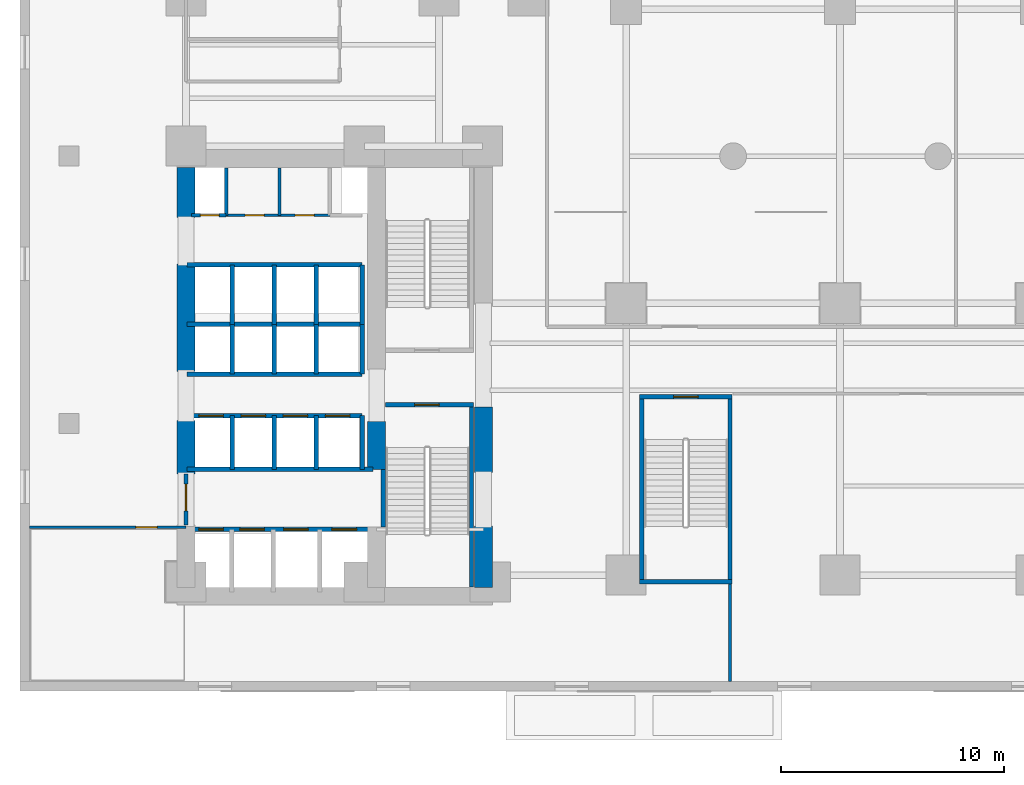
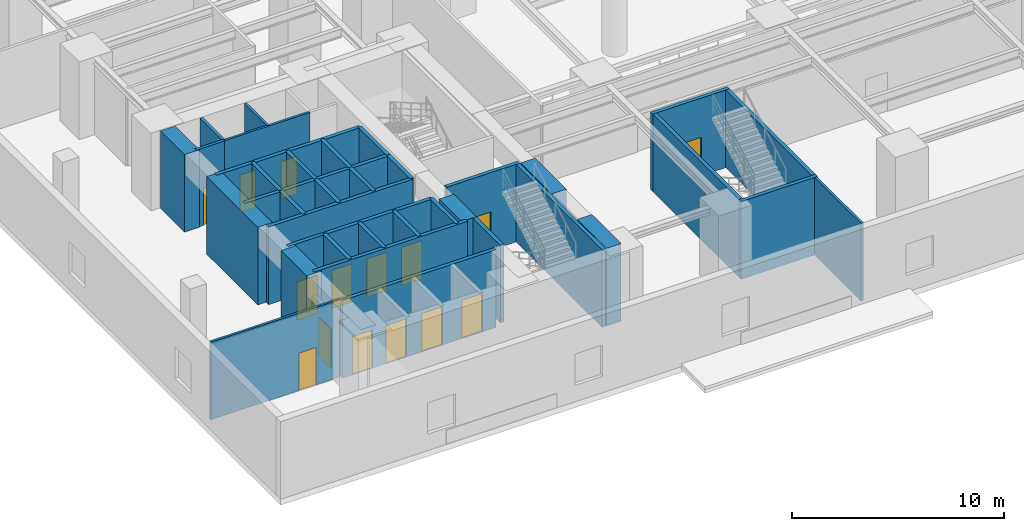
# One storey, part 12 of 17: 38 walls, 15 doors, 15 openings.
"""IFC4 building model written with IfcOpenShell, lengths in metres."""

import ifcopenshell
import ifcopenshell.guid

model = None  # the IFC model being written
_history = None  # IfcOwnerHistory: only IFC2X3 demands one
_inside = {}  # id of a spatial element -> (the spatial element, [elements in it])
_under = {}  # id of a project, library or spatial element -> (it, [spatial elements below it])
_declared = {}  # id of a project -> (the project, [libraries it declares])
_typed = {}  # id of a type object -> (the type object, [elements of that type])
_made_of = {}  # id of a material, layer set ... -> (it, [elements and type objects made of it])


def new_model(schema):
    """Start an empty IFC model of exactly this schema.

    Asked for "IFC4X3", IfcOpenShell would pick the latest addendum, in which some entities
    have other attributes; the version numbers below select the first issue.
    IFC2X3 requires an IfcOwnerHistory on every rooted entity: one is made here for all.
    """
    global model, _history
    if schema == "IFC4X3":
        model = ifcopenshell.file(schema_version=(4, 3, 0, 0))
    else:
        model = ifcopenshell.file(schema=schema)
    _inside.clear()
    _under.clear()
    _declared.clear()
    _typed.clear()
    _made_of.clear()
    _history = None
    if model.schema == "IFC2X3":
        org = make("IfcOrganization", Name="unknown")
        user = make(
            "IfcPersonAndOrganization",
            ThePerson=make("IfcPerson", FamilyName="unknown"),
            TheOrganization=org,
        )
        app = make(
            "IfcApplication",
            ApplicationDeveloper=org,
            Version="unknown",
            ApplicationFullName="unknown",
            ApplicationIdentifier="unknown",
        )
        _history = make(
            "IfcOwnerHistory",
            OwningUser=user,
            OwningApplication=app,
            ChangeAction="ADDED",
            CreationDate=0,
        )
    return model


def make(cls, **values):
    """One entity of the class cls with the attributes given. An attribute that is None is left unset."""
    return model.create_entity(
        cls, **{name: value for name, value in values.items() if value is not None}
    )


def rooted(cls, **values):
    """An entity with a GlobalId (a new one), such as an element, a storey or a relation."""
    return make(cls, GlobalId=ifcopenshell.guid.new(), OwnerHistory=_history, **values)


def si_unit(unit_type, name, prefix=None):
    """IfcSIUnit, for example si_unit("LENGTHUNIT", "METRE", prefix="MILLI")."""
    return make("IfcSIUnit", UnitType=unit_type, Prefix=prefix, Name=name)


def assignment(units):
    """IfcUnitAssignment: the units of a project."""
    return None if units is None else make("IfcUnitAssignment", Units=units)


def point(xyz):
    """IfcCartesianPoint."""
    return None if xyz is None else make("IfcCartesianPoint", Coordinates=xyz)


def direction(xyz):
    """IfcDirection."""
    return None if xyz is None else make("IfcDirection", DirectionRatios=xyz)


def frame(location, z_axis=None, x_axis=None):
    """IfcAxis2Placement3D, a coordinate frame: its origin and axes. An axis left out is left unset."""
    return make(
        "IfcAxis2Placement3D",
        Location=point(location),
        Axis=direction(z_axis),
        RefDirection=direction(x_axis),
    )


def frame_2d(location, x_axis=None):
    """IfcAxis2Placement2D, a coordinate frame in the plane: its origin and x axis."""
    return make(
        "IfcAxis2Placement2D", Location=point(location), RefDirection=direction(x_axis)
    )


def origin():
    """The frame at (0, 0, 0) with its axes left unset."""
    return frame((0.0, 0.0, 0.0))


def place(relative_to, where):
    """IfcLocalPlacement: puts the frame where relative to a parent placement (None: the world)."""
    return make(
        "IfcLocalPlacement", PlacementRelTo=relative_to, RelativePlacement=where
    )


def context(
    kind, dimensions, precision=None, world=None, true_north=None, identifier=None
):
    """IfcGeometricRepresentationContext, for example the 3D "Model" context."""
    return make(
        "IfcGeometricRepresentationContext",
        ContextIdentifier=identifier,
        ContextType=kind,
        CoordinateSpaceDimension=dimensions,
        Precision=precision,
        WorldCoordinateSystem=world,
        TrueNorth=true_north,
    )


def subcontext(parent, identifier, kind, view, scale=None):
    """IfcGeometricRepresentationSubContext, for example "Body" below "Model"."""
    return make(
        "IfcGeometricRepresentationSubContext",
        ContextIdentifier=identifier,
        ContextType=kind,
        ParentContext=parent,
        TargetScale=scale,
        TargetView=view,
    )


def project(units=None, contexts=None):
    """IfcProject with its units and contexts."""
    return rooted(
        "IfcProject",
        Name="project",
        RepresentationContexts=contexts,
        UnitsInContext=assignment(units),
    )


def spatial(cls, under=None, at=None, **own):
    """A site, building, storey or space (cls), placed at a placement, below another one or the project."""
    s = rooted(cls, ObjectPlacement=at, **own)
    if under is not None:
        _under.setdefault(under.id(), (under, []))[1].append(s)
    return s


def profile(cls, at=None, kind="AREA", **sizes):
    """A parametric profile (cls). Its sizes go by their IFC names, for example OverallWidth=200.0."""
    return make(cls, ProfileType=kind, Position=at, **sizes)


def rectangle(**sizes):
    """IfcRectangleProfileDef."""
    return profile("IfcRectangleProfileDef", **sizes)


def extrude(swept, where, along, depth):
    """IfcExtrudedAreaSolid: the profile swept, set in the frame where, extruded along a direction by depth."""
    return make(
        "IfcExtrudedAreaSolid",
        SweptArea=swept,
        Position=where,
        ExtrudedDirection=direction(along),
        Depth=depth,
    )


def shape(context_of_items, identifier, shape_type, items):
    """IfcShapeRepresentation: the items that make up one representation, for example the "Body"."""
    return make(
        "IfcShapeRepresentation",
        ContextOfItems=context_of_items,
        RepresentationIdentifier=identifier,
        RepresentationType=shape_type,
        Items=items,
    )


def material(Name=None, Category=None):
    """IfcMaterial."""
    return make("IfcMaterial", Name=Name, Category=Category)


def layer(
    of_material, thickness, ventilated=None, Name=None, Category=None, Priority=None
):
    """IfcMaterialLayer: one layer of a wall or slab, of a material (None: an air gap)."""
    return make(
        "IfcMaterialLayer",
        Material=of_material,
        LayerThickness=thickness,
        IsVentilated=ventilated,
        Name=Name,
        Category=Category,
        Priority=Priority,
    )


def layer_set(layers, Name=None):
    """IfcMaterialLayerSet."""
    return make("IfcMaterialLayerSet", MaterialLayers=layers, LayerSetName=Name)


def made_of(thing, what):
    """Note that an element or type object is made of a material, layer set ...; save() writes the relation."""
    if what is not None:
        _made_of.setdefault(what.id(), (what, []))[1].append(thing)
    return thing


def type_object(cls, material=None, **own):
    """A type object (cls), such as IfcWallType, which elements share."""
    return made_of(rooted(cls, **own), material)


def element(
    cls,
    number,
    at=None,
    inside=None,
    cuts=None,
    type_object=None,
    material=None,
    context=None,
    identifier="Body",
    shape_type=None,
    held_by="IfcProductDefinitionShape",
    body=None,
    shapes=None,
    **own,
):
    """One element of the class cls, such as IfcWall. Its Tag is "e" and its number.

    at: its placement. inside: the storey or other place that contains it. cuts: it is an
    opening in that element (IfcRelVoidsElement). A single representation is given by context,
    identifier, shape_type and body (its items); several are given by shapes. held_by: the class
    of the entity that holds the representations. save() writes the other relations.
    """
    e = rooted(cls, Tag="e%d" % number, ObjectPlacement=at, **own)
    if body is not None:
        shapes = [shape(context, identifier, shape_type, body)]
    if shapes is not None:
        e.Representation = make(held_by, Representations=shapes)
    if inside is not None:
        _inside.setdefault(inside.id(), (inside, []))[1].append(e)
    if cuts is not None:
        rooted(
            "IfcRelVoidsElement", RelatingBuildingElement=cuts, RelatedOpeningElement=e
        )
    if type_object is not None:
        _typed.setdefault(type_object.id(), (type_object, []))[1].append(e)
    return made_of(e, material)


def fill(opening, filler):
    """IfcRelFillsElement: the door or window that sits in an opening."""
    return rooted(
        "IfcRelFillsElement",
        RelatingOpeningElement=opening,
        RelatedBuildingElement=filler,
    )


def aggregate(whole, parts):
    """IfcRelAggregates: a whole, such as a stair, and the parts it consists of."""
    return rooted("IfcRelAggregates", RelatingObject=whole, RelatedObjects=parts)


def save(model, path):
    """Write the relations noted so far, then the file.

    IfcRelAggregates (storeys below a building ...), IfcRelContainedInSpatialStructure (elements
    in a storey), IfcRelDefinesByType, IfcRelAssociatesMaterial and IfcRelDeclares: one each for
    every whole, place, type object, material and project.
    """
    for whole, parts in _under.values():
        aggregate(whole, parts)
    for where, things in _inside.values():
        rooted(
            "IfcRelContainedInSpatialStructure",
            RelatedElements=things,
            RelatingStructure=where,
        )
    for kind, things in _typed.values():
        rooted("IfcRelDefinesByType", RelatedObjects=things, RelatingType=kind)
    for what, things in _made_of.values():
        rooted("IfcRelAssociatesMaterial", RelatedObjects=things, RelatingMaterial=what)
    for by, libraries in _declared.values():
        rooted("IfcRelDeclares", RelatingContext=by, RelatedDefinitions=libraries)
    model.write(path)


model = new_model("IFC4")

# Units and contexts
model_context = context("Model", 3, precision=1e-05, world=origin(), true_north=direction((0.0, 1.0)))
body_context = subcontext(model_context, "Body", "Model", "MODEL_VIEW")
ifc_project = project(units=[si_unit("LENGTHUNIT", "METRE"), si_unit("AREAUNIT", "SQUARE_METRE"), si_unit("VOLUMEUNIT", "CUBIC_METRE"), si_unit("PLANEANGLEUNIT", "RADIAN"), si_unit("MASSUNIT", "GRAM", prefix="KILO")], contexts=[model_context])

# Site, building, storey
site_placement = place(None, origin())
site = spatial("IfcSite", under=ifc_project, at=site_placement, CompositionType="ELEMENT")
building_placement = place(site_placement, origin())
building = spatial("IfcBuilding", under=site, at=building_placement, Name="Kolvaren Waterfront Exchange", CompositionType="ELEMENT")
storey_placement = place(building_placement, frame((0.0, 0.0, 5.60009765625)))
storey = spatial("IfcBuildingStorey", under=building, at=storey_placement, Name="L02", CompositionType="ELEMENT", Elevation=5.60009765625)

# Wall, opening, door
ifc_material_1 = material(Name="Precast concrete C40/50", Category="concrete")
ifc_layer_1 = layer(ifc_material_1, 0.199951171875, Name="Precast concrete C40/50")
ifc_layer_set_1 = layer_set([ifc_layer_1], Name="Precast concrete C40/50")
wall_type_1 = type_object("IfcWallType", Name="ARC-FIRE-200", PredefinedType="PARTITIONING", material=ifc_layer_set_1)
wall_1_placement = place(storey_placement, frame((16.39990234375, 12.85009765625, 0.0), z_axis=(0.0, 0.0, 1.0), x_axis=(1.0, 0.0, 0.0)))
wall_1 = element("IfcWall", 1, at=wall_1_placement, inside=storey, type_object=wall_type_1, Name="L02 interior wall PW-L02-ST1-THROAT-S", PredefinedType="PARTITIONING", context=body_context, shape_type="SweptSolid", body=[
    extrude(rectangle(XDim=3.960205078125, YDim=0.199951171875, at=frame_2d((1.97998046875, 0.0))), origin(), (0.0, 0.0, 1.0), 4.4599609375),
])
opening_1_placement = place(wall_1_placement, frame((1.3037109375, 0.0, 0.0)))
opening_1 = element("IfcOpeningElement", 2, at=opening_1_placement, cuts=wall_1, Name="Opening FD2", PredefinedType="OPENING", context=body_context, shape_type="SweptSolid", body=[
    extrude(rectangle(XDim=1.10009765625, YDim=2.199951171875, at=frame_2d((0.550048828125, 1.10009765625))), frame((0.0, 0.10986328125, 0.0), z_axis=(0.0, -1.0, 0.0), x_axis=(1.0, 0.0, 0.0)), (0.0, 0.0, 1.0), 0.219970703125),
])
ifc_material_2 = material(Name="Pressed steel smoke-seal fire door", Category="steel")
door_type_1 = type_object("IfcDoorType", Name="ARC-FD-1100", OperationType="NOTDEFINED", PredefinedType="DOOR", material=ifc_material_2)
door_1_placement = place(opening_1_placement, frame((1.10009765625, 0.0, 0.0), z_axis=(0.0, 0.0, 1.0), x_axis=(-1.0, 0.0, 0.0)))
door_1 = element("IfcDoor", 3, at=door_1_placement, inside=storey, type_object=door_type_1, Name="L02 door DR-L02-ST1-IN (FD2)", OperationType="SINGLE_SWING_LEFT", OverallHeight=2.199951171875, OverallWidth=1.10009765625, PredefinedType="DOOR", context=body_context, shape_type="SweptSolid", body=[
    extrude(rectangle(XDim=1.10009765625, YDim=2.199951171875, at=frame_2d((0.550048828125, 1.10009765625))), frame((0.0, 0.02490234375, 0.0), z_axis=(0.0, -1.0, 0.0), x_axis=(1.0, 0.0, 0.0)), (0.0, 0.0, 1.0), 0.050048828125),
])
fill(opening_1, door_1)

# Wall
wall_2_placement = place(storey_placement, frame((7.5, 9.949951171875, 0.0), z_axis=(0.0, 0.0, 1.0), x_axis=(1.0, 0.0, 0.0)))
element("IfcWall", 4, at=wall_2_placement, inside=storey, type_object=wall_type_1, Name="L02 interior wall PW-L02-FF-N", PredefinedType="PARTITIONING", context=body_context, shape_type="SweptSolid", body=[
    extrude(rectangle(XDim=8.35009765625, YDim=0.199951171875, at=frame_2d((4.175048828125, 0.0))), origin(), (0.0, 0.0, 1.0), 4.4599609375),
])

# Wall, opening, door
wall_3_placement = place(storey_placement, frame((7.449951171875, 7.449951171875, 0.0), z_axis=(0.0, 0.0, 1.0), x_axis=(0.0, 1.0, 0.0)))
wall_3 = element("IfcWall", 5, at=wall_3_placement, inside=storey, type_object=wall_type_1, Name="L02 interior wall PW-L02-FF-W-DOOR", PredefinedType="PARTITIONING", context=body_context, shape_type="SweptSolid", body=[
    extrude(rectangle(XDim=2.300048828125, YDim=0.199951171875, at=frame_2d((1.14990234375, 0.0))), origin(), (0.0, 0.0, 1.0), 3.239990234375),
])
opening_2_placement = place(wall_3_placement, frame((0.63330078125, 0.0, 0.0)))
opening_2 = element("IfcOpeningElement", 6, at=opening_2_placement, cuts=wall_3, Name="Opening FD3", PredefinedType="OPENING", context=body_context, shape_type="SweptSolid", body=[
    extrude(rectangle(XDim=1.199951171875, YDim=2.25, at=frame_2d((0.60009765625, 1.125))), frame((0.0, 0.10986328125, 0.0), z_axis=(0.0, -1.0, 0.0), x_axis=(1.0, 0.0, 0.0)), (0.0, 0.0, 1.0), 0.219970703125),
])
ifc_material_3 = material(Name="Pressed steel fire door", Category="steel")
door_type_2 = type_object("IfcDoorType", Name="ARC-FD-1200", OperationType="NOTDEFINED", PredefinedType="DOOR", material=ifc_material_3)
door_2_placement = place(opening_2_placement, frame((1.199951171875, 0.0, 0.0), z_axis=(0.0, 0.0, 1.0), x_axis=(-1.0, 0.0, 0.0)))
door_2 = element("IfcDoor", 7, at=door_2_placement, inside=storey, type_object=door_type_2, Name="L02 door DR-L02-FF-OUT (FD3)", OperationType="SINGLE_SWING_RIGHT", OverallHeight=2.25, OverallWidth=1.199951171875, PredefinedType="DOOR", context=body_context, shape_type="SweptSolid", body=[
    extrude(rectangle(XDim=1.199951171875, YDim=2.25, at=frame_2d((0.60009765625, 1.125))), frame((0.0, 0.02490234375, 0.0), z_axis=(0.0, -1.0, 0.0), x_axis=(1.0, 0.0, 0.0)), (0.0, 0.0, 1.0), 0.050048828125),
])
fill(opening_2, door_2)

# Wall, openings, doors
ifc_material_4 = material(Name="Acoustic gypsum steel stud", Category="steel")
ifc_layer_2 = layer(ifc_material_4, 0.125, Name="Acoustic gypsum steel stud")
ifc_layer_set_2 = layer_set([ifc_layer_2], Name="Acoustic gypsum steel stud")
wall_type_2 = type_object("IfcWallType", Name="ARC-PART-125", PredefinedType="PARTITIONING", material=ifc_layer_set_2)
wall_4_placement = place(storey_placement, frame((9.25, 21.35009765625, 0.0), z_axis=(0.0, 0.0, 1.0), x_axis=(1.0, 0.0, 0.0)))
wall_4 = element("IfcWall", 8, at=wall_4_placement, inside=storey, type_object=wall_type_2, Name="L02 interior wall PW-L02-SVC-EX-S", PredefinedType="PARTITIONING", context=body_context, shape_type="SweptSolid", body=[
    extrude(rectangle(XDim=4.64990234375, YDim=0.125, at=frame_2d((2.324951171875, 0.0))), origin(), (0.0, 0.0, 1.0), 4.4599609375),
])
opening_3_placement = place(wall_4_placement, frame((0.85009765625, 0.0, 0.0)))
opening_3 = element("IfcOpeningElement", 9, at=opening_3_placement, cuts=wall_4, Name="Opening D01", PredefinedType="OPENING", context=body_context, shape_type="SweptSolid", body=[
    extrude(rectangle(XDim=0.85009765625, YDim=2.14990234375, at=frame_2d((0.425048828125, 1.074951171875))), frame((0.0, 0.072509765625, 0.0), z_axis=(0.0, -1.0, 0.0), x_axis=(1.0, 0.0, 0.0)), (0.0, 0.0, 1.0), 0.14501953125),
])
opening_4_placement = place(wall_4_placement, frame((3.10009765625, 0.0, 0.0)))
opening_4 = element("IfcOpeningElement", 10, at=opening_4_placement, cuts=wall_4, Name="Opening D01", PredefinedType="OPENING", context=body_context, shape_type="SweptSolid", body=[
    extrude(rectangle(XDim=0.85009765625, YDim=2.14990234375, at=frame_2d((0.425048828125, 1.074951171875))), frame((0.0, 0.072509765625, 0.0), z_axis=(0.0, -1.0, 0.0), x_axis=(1.0, 0.0, 0.0)), (0.0, 0.0, 1.0), 0.14501953125),
])
ifc_material_5 = material(Name="Oak veneer timber leaf", Category="wood")
door_type_3 = type_object("IfcDoorType", Name="ARC-DR-900", OperationType="NOTDEFINED", PredefinedType="DOOR", material=ifc_material_5)
door_3_placement = place(opening_3_placement, origin())
door_3 = element("IfcDoor", 11, at=door_3_placement, inside=storey, type_object=door_type_3, Name="L02 door DR-L02-SVC-DR-1 (D01)", OperationType="SINGLE_SWING_RIGHT", OverallHeight=2.14990234375, OverallWidth=0.85009765625, PredefinedType="DOOR", context=body_context, shape_type="SweptSolid", body=[
    extrude(rectangle(XDim=0.85009765625, YDim=2.14990234375, at=frame_2d((0.425048828125, 1.074951171875))), frame((0.0, 0.02490234375, 0.0), z_axis=(0.0, -1.0, 0.0), x_axis=(1.0, 0.0, 0.0)), (0.0, 0.0, 1.0), 0.050048828125),
])
fill(opening_3, door_3)
door_4_placement = place(opening_4_placement, origin())
door_4 = element("IfcDoor", 12, at=door_4_placement, inside=storey, type_object=door_type_3, Name="L02 door DR-L02-SVC-DR-2 (D01)", OperationType="SINGLE_SWING_LEFT", OverallHeight=2.14990234375, OverallWidth=0.85009765625, PredefinedType="DOOR", context=body_context, shape_type="SweptSolid", body=[
    extrude(rectangle(XDim=0.85009765625, YDim=2.14990234375, at=frame_2d((0.425048828125, 1.074951171875))), frame((0.0, 0.02490234375, 0.0), z_axis=(0.0, -1.0, 0.0), x_axis=(1.0, 0.0, 0.0)), (0.0, 0.0, 1.0), 0.050048828125),
])
fill(opening_4, door_4)

# Wall
wall_5_placement = place(storey_placement, frame((11.64990234375, 21.35009765625, 0.0), z_axis=(0.0, 0.0, 1.0), x_axis=(0.0, 1.0, 0.0)))
element("IfcWall", 13, at=wall_5_placement, inside=storey, type_object=wall_type_2, Name="L02 interior wall PW-L02-SVC-EX-M1", PredefinedType="PARTITIONING", context=body_context, shape_type="SweptSolid", body=[
    extrude(rectangle(XDim=2.1298828125, YDim=0.125, at=frame_2d((1.06494140625, 0.0))), origin(), (0.0, 0.0, 1.0), 4.4599609375),
])

# Wall, opening, door
wall_6_placement = place(storey_placement, frame((0.419921875, 7.35009765625, 0.0), z_axis=(0.0, 0.0, 1.0), x_axis=(1.0, 0.0, 0.0)))
wall_6 = element("IfcWall", 14, at=wall_6_placement, inside=storey, type_object=wall_type_2, Name="L02 interior wall PW-L02-POD-WS-N", PredefinedType="PARTITIONING", context=body_context, shape_type="SweptSolid", body=[
    extrude(rectangle(XDim=7.030029296875, YDim=0.125, at=frame_2d((3.51513671875, 0.0))), origin(), (0.0, 0.0, 1.0), 4.4599609375),
])
opening_5_placement = place(wall_6_placement, frame((4.780029296875, 0.0, 0.0)))
opening_5 = element("IfcOpeningElement", 15, at=opening_5_placement, cuts=wall_6, Name="Opening D02", PredefinedType="OPENING", context=body_context, shape_type="SweptSolid", body=[
    extrude(rectangle(XDim=0.949951171875, YDim=2.14990234375, at=frame_2d((0.47509765625, 1.074951171875))), frame((0.0, 0.072509765625, 0.0), z_axis=(0.0, -1.0, 0.0), x_axis=(1.0, 0.0, 0.0)), (0.0, 0.0, 1.0), 0.14501953125),
])
ifc_material_6 = material(Name="Oak veneer acoustic timber", Category="wood")
door_type_4 = type_object("IfcDoorType", Name="ARC-DR-950", OperationType="NOTDEFINED", PredefinedType="DOOR", material=ifc_material_6)
door_5_placement = place(opening_5_placement, origin())
door_5 = element("IfcDoor", 16, at=door_5_placement, inside=storey, type_object=door_type_4, Name="L02 door DR-L02-POD-WS-D (D02)", OperationType="SINGLE_SWING_LEFT", OverallHeight=2.14990234375, OverallWidth=0.949951171875, PredefinedType="DOOR", context=body_context, shape_type="SweptSolid", body=[
    extrude(rectangle(XDim=0.949951171875, YDim=2.14990234375, at=frame_2d((0.47509765625, 1.074951171875))), frame((0.0, 0.02490234375, 0.0), z_axis=(0.0, -1.0, 0.0), x_axis=(1.0, 0.0, 0.0)), (0.0, 0.0, 1.0), 0.050048828125),
])
fill(opening_5, door_5)

# Walls
wall_7_placement = place(storey_placement, frame((31.860107421875, 0.419921875, 0.0), z_axis=(0.0, 0.0, 1.0), x_axis=(0.0, 1.0, 0.0)))
element("IfcWall", 17, at=wall_7_placement, inside=storey, type_object=wall_type_2, Name="L02 interior wall PW-L02-POD-SE-W", PredefinedType="PARTITIONING", context=body_context, shape_type="SweptSolid", body=[
    extrude(rectangle(XDim=4.380126953125, YDim=0.125, at=frame_2d((2.18994140625, 0.0))), origin(), (0.0, 0.0, 1.0), 4.4599609375),
])
ifc_material_7 = material(Name="Gypsum fireboard steel stud", Category="steel")
ifc_layer_3 = layer(ifc_material_7, 0.14990234375, Name="Gypsum fireboard steel stud")
ifc_layer_set_3 = layer_set([ifc_layer_3], Name="Gypsum fireboard steel stud")
wall_type_3 = type_object("IfcWallType", Name="ARC-PART-150", PredefinedType="PARTITIONING", material=ifc_layer_set_3)
wall_8_placement = place(storey_placement, frame((9.25, 21.35009765625, 0.0), z_axis=(0.0, 0.0, 1.0), x_axis=(0.0, 1.0, 0.0)))
element("IfcWall", 18, at=wall_8_placement, inside=storey, type_object=wall_type_3, Name="L02 interior wall PW-L02-SVC-R1", PredefinedType="PARTITIONING", context=body_context, shape_type="SweptSolid", body=[
    extrude(rectangle(XDim=2.1298828125, YDim=0.14990234375, at=frame_2d((1.06494140625, 0.0))), origin(), (0.0, 0.0, 1.0), 4.4599609375),
])

# Wall, opening, door
wall_9_placement = place(storey_placement, frame((7.699951171875, 21.35009765625, 0.0), z_axis=(0.0, 0.0, 1.0), x_axis=(1.0, 0.0, 0.0)))
wall_9 = element("IfcWall", 19, at=wall_9_placement, inside=storey, type_object=wall_type_3, Name="L02 interior wall PW-L02-SVC-RE-S", PredefinedType="PARTITIONING", context=body_context, shape_type="SweptSolid", body=[
    extrude(rectangle(XDim=1.550048828125, YDim=0.14990234375, at=frame_2d((0.77490234375, 0.0))), origin(), (0.0, 0.0, 1.0), 4.4599609375),
])
opening_6_placement = place(wall_9_placement, frame((0.389892578125, 0.0, 0.0)))
opening_6 = element("IfcOpeningElement", 20, at=opening_6_placement, cuts=wall_9, Name="Opening FD1", PredefinedType="OPENING", context=body_context, shape_type="SweptSolid", body=[
    extrude(rectangle(XDim=0.85009765625, YDim=2.14990234375, at=frame_2d((0.425048828125, 1.074951171875))), frame((0.0, 0.0849609375, 0.0), z_axis=(0.0, -1.0, 0.0), x_axis=(1.0, 0.0, 0.0)), (0.0, 0.0, 1.0), 0.169921875),
])
ifc_material_8 = material(Name="Pressed steel fire leaf", Category="steel")
door_type_5 = type_object("IfcDoorType", Name="ARC-FD-900", OperationType="NOTDEFINED", PredefinedType="DOOR", material=ifc_material_8)
door_6_placement = place(opening_6_placement, origin())
door_6 = element("IfcDoor", 21, at=door_6_placement, inside=storey, type_object=door_type_5, Name="L02 door DR-L02-RISER-E-DR (FD1)", OperationType="SINGLE_SWING_LEFT", OverallHeight=2.14990234375, OverallWidth=0.85009765625, PredefinedType="DOOR", context=body_context, shape_type="SweptSolid", body=[
    extrude(rectangle(XDim=0.85009765625, YDim=2.14990234375, at=frame_2d((0.425048828125, 1.074951171875))), frame((0.0, 0.02490234375, 0.0), z_axis=(0.0, -1.0, 0.0), x_axis=(1.0, 0.0, 0.0)), (0.0, 0.0, 1.0), 0.050048828125),
])
fill(opening_6, door_6)

# Walls
ifc_material_9 = material(Name="Concrete C40/50", Category="concrete")
ifc_layer_4 = layer(ifc_material_9, 0.199951171875, Name="Concrete C40/50")
ifc_layer_set_4 = layer_set([ifc_layer_4], Name="Concrete C40/50")
wall_type_4 = type_object("IfcWallType", Name="ARC-SHAFT-200", PredefinedType="PARTITIONING", material=ifc_layer_set_4)
wall_10_placement = place(storey_placement, frame((16.300048828125, 7.360107421875, 0.0), z_axis=(0.0, 0.0, 1.0), x_axis=(0.0, 1.0, 0.0)))
element("IfcWall", 22, at=wall_10_placement, inside=storey, type_object=wall_type_4, Name="L02 structural stairwell wall PW-L02-ST1-W", PredefinedType="SHEAR", context=body_context, shape_type="SweptSolid", body=[
    extrude(rectangle(XDim=2.579833984375, YDim=0.199951171875, at=frame_2d((1.2900390625, 0.0))), origin(), (0.0, 0.0, 1.0), 4.4599609375),
])
wall_11_placement = place(storey_placement, frame((20.260009765625, 4.659912109375, 0.0), z_axis=(0.0, 0.0, 1.0), x_axis=(0.0, 1.0, 0.0)))
element("IfcWall", 23, at=wall_11_placement, inside=storey, type_object=wall_type_4, Name="L02 structural stairwell wall PW-L02-ST1-E", PredefinedType="SHEAR", context=body_context, shape_type="SweptSolid", body=[
    extrude(rectangle(XDim=8.090087890625, YDim=0.199951171875, at=frame_2d((4.044921875, 0.0))), origin(), (0.0, 0.0, 1.0), 4.4599609375),
])
for number, where, z_axis, x_axis, name in (
    (24, (27.89990234375, 5.0, 0.0), (0.0, 0.0, 1.0), (0.0, 1.0, 0.0), "L02 structural stairwell wall PW-L02-ST3-W"),
    (25, (31.860107421875, 5.0, 0.0), (0.0, 0.0, 1.0), (0.0, 1.0, 0.0), "L02 structural stairwell wall PW-L02-ST3-E"),
):
    element("IfcWall", number, at=place(storey_placement, frame(where, z_axis=z_axis, x_axis=x_axis)), inside=storey, type_object=wall_type_4, Name=name, PredefinedType="SHEAR", context=body_context, shape_type="SweptSolid", body=[
        extrude(rectangle(XDim=8.10009765625, YDim=0.199951171875, at=frame_2d((4.050048828125, 0.0))), origin(), (0.0, 0.0, 1.0), 4.4599609375),
    ])
wall_12_placement = place(storey_placement, frame((27.800048828125, 4.89990234375, 0.0), z_axis=(0.0, 0.0, 1.0), x_axis=(1.0, 0.0, 0.0)))
element("IfcWall", 26, at=wall_12_placement, inside=storey, type_object=wall_type_4, Name="L02 structural stairwell wall PW-L02-ST3-S", PredefinedType="SHEAR", context=body_context, shape_type="SweptSolid", body=[
    extrude(rectangle(XDim=4.159912109375, YDim=0.199951171875, at=frame_2d((2.080078125, 0.0))), origin(), (0.0, 0.0, 1.0), 4.4599609375),
])

# Wall, opening, door
wall_13_placement = place(storey_placement, frame((27.800048828125, 13.199951171875, 0.0), z_axis=(0.0, 0.0, 1.0), x_axis=(1.0, 0.0, 0.0)))
wall_13 = element("IfcWall", 27, at=wall_13_placement, inside=storey, type_object=wall_type_4, Name="L02 structural stairwell wall PW-L02-ST3-N", PredefinedType="SHEAR", context=body_context, shape_type="SweptSolid", body=[
    extrude(rectangle(XDim=4.159912109375, YDim=0.199951171875, at=frame_2d((2.080078125, 0.0))), origin(), (0.0, 0.0, 1.0), 4.4599609375),
])
opening_7_placement = place(wall_13_placement, frame((1.530029296875, 0.0, 0.0)))
opening_7 = element("IfcOpeningElement", 28, at=opening_7_placement, cuts=wall_13, Name="Opening FD2", PredefinedType="OPENING", context=body_context, shape_type="SweptSolid", body=[
    extrude(rectangle(XDim=1.10009765625, YDim=2.199951171875, at=frame_2d((0.550048828125, 1.10009765625))), frame((0.0, 0.10986328125, 0.0), z_axis=(0.0, -1.0, 0.0), x_axis=(1.0, 0.0, 0.0)), (0.0, 0.0, 1.0), 0.219970703125),
])
door_7_placement = place(opening_7_placement, frame((1.10009765625, 0.0, 0.0), z_axis=(0.0, 0.0, 1.0), x_axis=(-1.0, 0.0, 0.0)))
door_7 = element("IfcDoor", 29, at=door_7_placement, inside=storey, type_object=door_type_1, Name="L02 door DR-L02-ST3-IN (FD2)", OperationType="SINGLE_SWING_LEFT", OverallHeight=2.199951171875, OverallWidth=1.10009765625, PredefinedType="DOOR", context=body_context, shape_type="SweptSolid", body=[
    extrude(rectangle(XDim=1.10009765625, YDim=2.199951171875, at=frame_2d((0.550048828125, 1.10009765625))), frame((0.0, 0.02490234375, 0.0), z_axis=(0.0, -1.0, 0.0), x_axis=(1.0, 0.0, 0.0)), (0.0, 0.0, 1.0), 0.050048828125),
])
fill(opening_7, door_7)

# Wall, openings, doors
wall_14_placement = place(storey_placement, frame((7.5, 7.25, 0.0), z_axis=(0.0, 0.0, 1.0), x_axis=(1.0, 0.0, 0.0)))
wall_14 = element("IfcWall", 30, at=wall_14_placement, inside=storey, type_object=wall_type_4, Name="L02 interior wall PW-L02-FF-S", PredefinedType="PARTITIONING", context=body_context, shape_type="SweptSolid", body=[
    extrude(rectangle(XDim=8.35009765625, YDim=0.199951171875, at=frame_2d((4.175048828125, 0.0))), origin(), (0.0, 0.0, 1.0), 4.4599609375),
])
opening_8_placement = place(wall_14_placement, frame((0.530029296875, 0.0, 0.0)))
opening_8 = element("IfcOpeningElement", 31, at=opening_8_placement, cuts=wall_14, Name="Opening LD1", PredefinedType="OPENING", context=body_context, shape_type="SweptSolid", body=[
    extrude(rectangle(XDim=1.10009765625, YDim=2.199951171875, at=frame_2d((0.550048828125, 1.10009765625))), frame((0.0, 0.10986328125, 0.0), z_axis=(0.0, -1.0, 0.0), x_axis=(1.0, 0.0, 0.0)), (0.0, 0.0, 1.0), 0.219970703125),
])
opening_9_placement = place(wall_14_placement, frame((2.3701171875, 0.0, 0.0)))
opening_9 = element("IfcOpeningElement", 32, at=opening_9_placement, cuts=wall_14, Name="Opening LD1", PredefinedType="OPENING", context=body_context, shape_type="SweptSolid", body=[
    extrude(rectangle(XDim=1.10009765625, YDim=2.199951171875, at=frame_2d((0.550048828125, 1.10009765625))), frame((0.0, 0.10986328125, 0.0), z_axis=(0.0, -1.0, 0.0), x_axis=(1.0, 0.0, 0.0)), (0.0, 0.0, 1.0), 0.219970703125),
])
opening_10_placement = place(wall_14_placement, frame((4.330078125, 0.0, 0.0)))
opening_10 = element("IfcOpeningElement", 33, at=opening_10_placement, cuts=wall_14, Name="Opening LD1", PredefinedType="OPENING", context=body_context, shape_type="SweptSolid", body=[
    extrude(rectangle(XDim=1.10009765625, YDim=2.199951171875, at=frame_2d((0.550048828125, 1.10009765625))), frame((0.0, 0.10986328125, 0.0), z_axis=(0.0, -1.0, 0.0), x_axis=(1.0, 0.0, 0.0)), (0.0, 0.0, 1.0), 0.219970703125),
])
opening_11_placement = place(wall_14_placement, frame((6.5, 0.0, 0.0)))
opening_11 = element("IfcOpeningElement", 34, at=opening_11_placement, cuts=wall_14, Name="Opening LD1", PredefinedType="OPENING", context=body_context, shape_type="SweptSolid", body=[
    extrude(rectangle(XDim=1.10009765625, YDim=2.199951171875, at=frame_2d((0.550048828125, 1.10009765625))), frame((0.0, 0.10986328125, 0.0), z_axis=(0.0, -1.0, 0.0), x_axis=(1.0, 0.0, 0.0)), (0.0, 0.0, 1.0), 0.219970703125),
])
ifc_material_10 = material(Name="Stainless steel sliding landing door", Category="steel")
door_type_6 = type_object("IfcDoorType", Name="ARC-LD-FF", OperationType="SLIDING_TO_LEFT", PredefinedType="DOOR", material=ifc_material_10)
door_8_placement = place(opening_8_placement, origin())
door_8 = element("IfcDoor", 35, at=door_8_placement, inside=storey, type_object=door_type_6, Name="L02 door LD-L02-FFL1 (LD1)", OperationType="SLIDING_TO_LEFT", OverallHeight=2.199951171875, OverallWidth=1.10009765625, PredefinedType="DOOR", context=body_context, shape_type="SweptSolid", body=[
    extrude(rectangle(XDim=1.10009765625, YDim=2.199951171875, at=frame_2d((0.550048828125, 1.10009765625))), frame((0.0, 0.02490234375, 0.0), z_axis=(0.0, -1.0, 0.0), x_axis=(1.0, 0.0, 0.0)), (0.0, 0.0, 1.0), 0.050048828125),
])
fill(opening_8, door_8)
door_9_placement = place(opening_9_placement, origin())
door_9 = element("IfcDoor", 36, at=door_9_placement, inside=storey, type_object=door_type_6, Name="L02 door LD-L02-FFL2 (LD1)", OperationType="SLIDING_TO_LEFT", OverallHeight=2.199951171875, OverallWidth=1.10009765625, PredefinedType="DOOR", context=body_context, shape_type="SweptSolid", body=[
    extrude(rectangle(XDim=1.10009765625, YDim=2.199951171875, at=frame_2d((0.550048828125, 1.10009765625))), frame((0.0, 0.02490234375, 0.0), z_axis=(0.0, -1.0, 0.0), x_axis=(1.0, 0.0, 0.0)), (0.0, 0.0, 1.0), 0.050048828125),
])
fill(opening_9, door_9)
door_10_placement = place(opening_10_placement, origin())
door_10 = element("IfcDoor", 37, at=door_10_placement, inside=storey, type_object=door_type_6, Name="L02 door LD-L02-GL1 (LD1)", OperationType="SLIDING_TO_LEFT", OverallHeight=2.199951171875, OverallWidth=1.10009765625, PredefinedType="DOOR", context=body_context, shape_type="SweptSolid", body=[
    extrude(rectangle(XDim=1.10009765625, YDim=2.199951171875, at=frame_2d((0.550048828125, 1.10009765625))), frame((0.0, 0.02490234375, 0.0), z_axis=(0.0, -1.0, 0.0), x_axis=(1.0, 0.0, 0.0)), (0.0, 0.0, 1.0), 0.050048828125),
])
fill(opening_10, door_10)
door_11_placement = place(opening_11_placement, origin())
door_11 = element("IfcDoor", 38, at=door_11_placement, inside=storey, type_object=door_type_6, Name="L02 door LD-L02-GL2 (LD1)", OperationType="SLIDING_TO_LEFT", OverallHeight=2.199951171875, OverallWidth=1.10009765625, PredefinedType="DOOR", context=body_context, shape_type="SweptSolid", body=[
    extrude(rectangle(XDim=1.10009765625, YDim=2.199951171875, at=frame_2d((0.550048828125, 1.10009765625))), frame((0.0, 0.02490234375, 0.0), z_axis=(0.0, -1.0, 0.0), x_axis=(1.0, 0.0, 0.0)), (0.0, 0.0, 1.0), 0.050048828125),
])
fill(opening_11, door_11)

wall_15_placement = place(storey_placement, frame((7.5, 12.360107421875, 0.0), z_axis=(0.0, 0.0, 1.0), x_axis=(1.0, 0.0, 0.0)))
wall_15 = element("IfcWall", 39, at=wall_15_placement, inside=storey, type_object=wall_type_4, Name="L02 interior wall PW-L02-PL-N", PredefinedType="PARTITIONING", context=body_context, shape_type="SweptSolid", body=[
    extrude(rectangle(XDim=7.85009765625, YDim=0.199951171875, at=frame_2d((3.925048828125, 0.0))), origin(), (0.0, 0.0, 1.0), 4.4599609375),
])
opening_12_placement = place(wall_15_placement, frame((0.530029296875, 0.0, 0.0)))
opening_12 = element("IfcOpeningElement", 40, at=opening_12_placement, cuts=wall_15, Name="Opening LD2", PredefinedType="OPENING", context=body_context, shape_type="SweptSolid", body=[
    extrude(rectangle(XDim=1.10009765625, YDim=2.199951171875, at=frame_2d((0.550048828125, 1.10009765625))), frame((0.0, 0.10986328125, 0.0), z_axis=(0.0, -1.0, 0.0), x_axis=(1.0, 0.0, 0.0)), (0.0, 0.0, 1.0), 0.219970703125),
])
opening_13_placement = place(wall_15_placement, frame((2.419921875, 0.0, 0.0)))
opening_13 = element("IfcOpeningElement", 41, at=opening_13_placement, cuts=wall_15, Name="Opening LD2", PredefinedType="OPENING", context=body_context, shape_type="SweptSolid", body=[
    extrude(rectangle(XDim=1.10009765625, YDim=2.199951171875, at=frame_2d((0.550048828125, 1.10009765625))), frame((0.0, 0.10986328125, 0.0), z_axis=(0.0, -1.0, 0.0), x_axis=(1.0, 0.0, 0.0)), (0.0, 0.0, 1.0), 0.219970703125),
])
opening_14_placement = place(wall_15_placement, frame((4.31005859375, 0.0, 0.0)))
opening_14 = element("IfcOpeningElement", 42, at=opening_14_placement, cuts=wall_15, Name="Opening LD2", PredefinedType="OPENING", context=body_context, shape_type="SweptSolid", body=[
    extrude(rectangle(XDim=1.10009765625, YDim=2.199951171875, at=frame_2d((0.550048828125, 1.10009765625))), frame((0.0, 0.10986328125, 0.0), z_axis=(0.0, -1.0, 0.0), x_axis=(1.0, 0.0, 0.0)), (0.0, 0.0, 1.0), 0.219970703125),
])
opening_15_placement = place(wall_15_placement, frame((6.199951171875, 0.0, 0.0)))
opening_15 = element("IfcOpeningElement", 43, at=opening_15_placement, cuts=wall_15, Name="Opening LD2", PredefinedType="OPENING", context=body_context, shape_type="SweptSolid", body=[
    extrude(rectangle(XDim=1.10009765625, YDim=2.199951171875, at=frame_2d((0.550048828125, 1.10009765625))), frame((0.0, 0.10986328125, 0.0), z_axis=(0.0, -1.0, 0.0), x_axis=(1.0, 0.0, 0.0)), (0.0, 0.0, 1.0), 0.219970703125),
])
ifc_material_11 = material(Name="Brushed bronze sliding landing door", Category="aluminium")
door_type_7 = type_object("IfcDoorType", Name="ARC-LD-PAX", OperationType="SLIDING_TO_LEFT", PredefinedType="DOOR", material=ifc_material_11)
door_12_placement = place(opening_12_placement, origin())
door_12 = element("IfcDoor", 44, at=door_12_placement, inside=storey, type_object=door_type_7, Name="L02 door LD-L02-PL1 (LD2)", OperationType="SLIDING_TO_LEFT", OverallHeight=2.199951171875, OverallWidth=1.10009765625, PredefinedType="DOOR", context=body_context, shape_type="SweptSolid", body=[
    extrude(rectangle(XDim=1.10009765625, YDim=2.199951171875, at=frame_2d((0.550048828125, 1.10009765625))), frame((0.0, 0.02490234375, 0.0), z_axis=(0.0, -1.0, 0.0), x_axis=(1.0, 0.0, 0.0)), (0.0, 0.0, 1.0), 0.050048828125),
])
fill(opening_12, door_12)
door_13_placement = place(opening_13_placement, origin())
door_13 = element("IfcDoor", 45, at=door_13_placement, inside=storey, type_object=door_type_7, Name="L02 door LD-L02-PL2 (LD2)", OperationType="SLIDING_TO_LEFT", OverallHeight=2.199951171875, OverallWidth=1.10009765625, PredefinedType="DOOR", context=body_context, shape_type="SweptSolid", body=[
    extrude(rectangle(XDim=1.10009765625, YDim=2.199951171875, at=frame_2d((0.550048828125, 1.10009765625))), frame((0.0, 0.02490234375, 0.0), z_axis=(0.0, -1.0, 0.0), x_axis=(1.0, 0.0, 0.0)), (0.0, 0.0, 1.0), 0.050048828125),
])
fill(opening_13, door_13)
door_14_placement = place(opening_14_placement, origin())
door_14 = element("IfcDoor", 46, at=door_14_placement, inside=storey, type_object=door_type_7, Name="L02 door LD-L02-PL3 (LD2)", OperationType="SLIDING_TO_LEFT", OverallHeight=2.199951171875, OverallWidth=1.10009765625, PredefinedType="DOOR", context=body_context, shape_type="SweptSolid", body=[
    extrude(rectangle(XDim=1.10009765625, YDim=2.199951171875, at=frame_2d((0.550048828125, 1.10009765625))), frame((0.0, 0.02490234375, 0.0), z_axis=(0.0, -1.0, 0.0), x_axis=(1.0, 0.0, 0.0)), (0.0, 0.0, 1.0), 0.050048828125),
])
fill(opening_14, door_14)
door_15_placement = place(opening_15_placement, origin())
door_15 = element("IfcDoor", 47, at=door_15_placement, inside=storey, type_object=door_type_7, Name="L02 door LD-L02-PL4 (LD2)", OperationType="SLIDING_TO_LEFT", OverallHeight=2.199951171875, OverallWidth=1.10009765625, PredefinedType="DOOR", context=body_context, shape_type="SweptSolid", body=[
    extrude(rectangle(XDim=1.10009765625, YDim=2.199951171875, at=frame_2d((0.550048828125, 1.10009765625))), frame((0.0, 0.02490234375, 0.0), z_axis=(0.0, -1.0, 0.0), x_axis=(1.0, 0.0, 0.0)), (0.0, 0.0, 1.0), 0.050048828125),
])
fill(opening_15, door_15)

# Walls
for number, where, z_axis, x_axis, name in (
    (48, (15.35009765625, 9.949951171875, 0.0), (0.0, 0.0, 1.0), (0.0, 1.0, 0.0), "L02 interior wall PW-L02-PL-E"),
    (49, (9.52001953125, 9.949951171875, 0.0), (0.0, 0.0, 1.0), (0.0, 1.0, 0.0), "L02 interior wall PW-L02-SH2-DIV-95"),
    (50, (11.409912109375, 9.949951171875, 0.0), (0.0, 0.0, 1.0), (0.0, 1.0, 0.0), "L02 interior wall PW-L02-SH2-DIV-114"),
    (51, (13.300048828125, 9.949951171875, 0.0), (0.0, 0.0, 1.0), (0.0, 1.0, 0.0), "L02 interior wall PW-L02-SH2-DIV-133"),
):
    element("IfcWall", number, at=place(storey_placement, frame(where, z_axis=z_axis, x_axis=x_axis)), inside=storey, type_object=wall_type_4, Name=name, PredefinedType="PARTITIONING", context=body_context, shape_type="SweptSolid", body=[
        extrude(rectangle(XDim=2.41015625, YDim=0.199951171875, at=frame_2d((1.205078125, 0.0))), origin(), (0.0, 0.0, 1.0), 4.4599609375),
    ])
for number, where, z_axis, x_axis, name in (
    (52, (7.5, 14.219970703125, 0.0), (0.0, 0.0, 1.0), (1.0, 0.0, 0.0), "L02 interior wall PW-L02-PM-S"),
    (53, (7.5, 16.449951171875, 0.0), (0.0, 0.0, 1.0), (1.0, 0.0, 0.0), "L02 interior wall PW-L02-PM-N"),
):
    element("IfcWall", number, at=place(storey_placement, frame(where, z_axis=z_axis, x_axis=x_axis)), inside=storey, type_object=wall_type_4, Name=name, PredefinedType="PARTITIONING", context=body_context, shape_type="SweptSolid", body=[
        extrude(rectangle(XDim=7.85009765625, YDim=0.199951171875, at=frame_2d((3.925048828125, 0.0))), origin(), (0.0, 0.0, 1.0), 4.4599609375),
    ])
for number, where, z_axis, x_axis, name in (
    (54, (15.35009765625, 14.219970703125, 0.0), (0.0, 0.0, 1.0), (0.0, 1.0, 0.0), "L02 interior wall PW-L02-PM-E"),
    (55, (9.52001953125, 14.219970703125, 0.0), (0.0, 0.0, 1.0), (0.0, 1.0, 0.0), "L02 interior wall PW-L02-SH3-DIV-95"),
    (56, (11.409912109375, 14.219970703125, 0.0), (0.0, 0.0, 1.0), (0.0, 1.0, 0.0), "L02 interior wall PW-L02-SH3-DIV-114"),
    (57, (13.300048828125, 14.219970703125, 0.0), (0.0, 0.0, 1.0), (0.0, 1.0, 0.0), "L02 interior wall PW-L02-SH3-DIV-133"),
):
    element("IfcWall", number, at=place(storey_placement, frame(where, z_axis=z_axis, x_axis=x_axis)), inside=storey, type_object=wall_type_4, Name=name, PredefinedType="PARTITIONING", context=body_context, shape_type="SweptSolid", body=[
        extrude(rectangle(XDim=2.22998046875, YDim=0.199951171875, at=frame_2d((1.114990234375, 0.0))), origin(), (0.0, 0.0, 1.0), 4.4599609375),
    ])
wall_16_placement = place(storey_placement, frame((7.5, 19.1201171875, 0.0), z_axis=(0.0, 0.0, 1.0), x_axis=(1.0, 0.0, 0.0)))
element("IfcWall", 58, at=wall_16_placement, inside=storey, type_object=wall_type_4, Name="L02 interior wall PW-L02-PH-N", PredefinedType="PARTITIONING", context=body_context, shape_type="SweptSolid", body=[
    extrude(rectangle(XDim=7.85009765625, YDim=0.199951171875, at=frame_2d((3.925048828125, 0.0))), origin(), (0.0, 0.0, 1.0), 4.4599609375),
])
for number, where, z_axis, x_axis, name in (
    (59, (15.35009765625, 16.449951171875, 0.0), (0.0, 0.0, 1.0), (0.0, 1.0, 0.0), "L02 interior wall PW-L02-PH-E"),
    (60, (9.52001953125, 16.449951171875, 0.0), (0.0, 0.0, 1.0), (0.0, 1.0, 0.0), "L02 interior wall PW-L02-SH4-DIV-95"),
    (61, (11.409912109375, 16.449951171875, 0.0), (0.0, 0.0, 1.0), (0.0, 1.0, 0.0), "L02 interior wall PW-L02-SH4-DIV-114"),
    (62, (13.300048828125, 16.449951171875, 0.0), (0.0, 0.0, 1.0), (0.0, 1.0, 0.0), "L02 interior wall PW-L02-SH4-DIV-133"),
):
    element("IfcWall", number, at=place(storey_placement, frame(where, z_axis=z_axis, x_axis=x_axis)), inside=storey, type_object=wall_type_4, Name=name, PredefinedType="PARTITIONING", context=body_context, shape_type="SweptSolid", body=[
        extrude(rectangle(XDim=2.670166015625, YDim=0.199951171875, at=frame_2d((1.3349609375, 0.0))), origin(), (0.0, 0.0, 1.0), 4.4599609375),
    ])
ifc_material_12 = material(Name="Concrete C70/85", Category="concrete")
ifc_layer_5 = layer(ifc_material_12, 0.800048828125, Name="Concrete C70/85")
ifc_layer_set_5 = layer_set([ifc_layer_5], Name="Concrete C70/85")
wall_type_5 = type_object("IfcWallType", Name="STR-CWALL-800", PredefinedType="SHEAR", material=ifc_layer_set_5)
wall_17_placement = place(storey_placement, frame((7.449951171875, 9.75, 0.0), z_axis=(0.0, 0.0, 1.0), x_axis=(0.0, 1.0, 0.0)))
element("IfcWall", 63, at=wall_17_placement, inside=storey, type_object=wall_type_5, Name="L02 rear-core shear wall W2A", PredefinedType="SHEAR", context=body_context, shape_type="SweptSolid", body=[
    extrude(rectangle(XDim=2.39990234375, YDim=0.800048828125, at=frame_2d((1.199951171875, 0.0))), origin(), (0.0, 0.0, 1.0), 4.4599609375),
])
wall_18_placement = place(storey_placement, frame((7.449951171875, 14.35009765625, 0.0), z_axis=(0.0, 0.0, 1.0), x_axis=(0.0, 1.0, 0.0)))
element("IfcWall", 64, at=wall_18_placement, inside=storey, type_object=wall_type_5, Name="L02 rear-core shear wall W2B", PredefinedType="SHEAR", context=body_context, shape_type="SweptSolid", body=[
    extrude(rectangle(XDim=4.809814453125, YDim=0.800048828125, at=frame_2d((2.40478515625, 0.0))), origin(), (0.0, 0.0, 1.0), 4.4599609375),
])
wall_19_placement = place(storey_placement, frame((7.449951171875, 21.239990234375, 0.0), z_axis=(0.0, 0.0, 1.0), x_axis=(0.0, 1.0, 0.0)))
element("IfcWall", 65, at=wall_19_placement, inside=storey, type_object=wall_type_5, Name="L02 rear-core shear wall W3", PredefinedType="SHEAR", context=body_context, shape_type="SweptSolid", body=[
    extrude(rectangle(XDim=2.260009765625, YDim=0.800048828125, at=frame_2d((1.1298828125, 0.0))), origin(), (0.0, 0.0, 1.0), 4.4599609375),
])
wall_20_placement = place(storey_placement, frame((20.800048828125, 4.64990234375, 0.0), z_axis=(0.0, 0.0, 1.0), x_axis=(0.0, 1.0, 0.0)))
element("IfcWall", 66, at=wall_20_placement, inside=storey, type_object=wall_type_5, Name="L02 rear-core shear wall E1", PredefinedType="SHEAR", context=body_context, shape_type="SweptSolid", body=[
    extrude(rectangle(XDim=2.75, YDim=0.800048828125, at=frame_2d((1.375, 0.0))), origin(), (0.0, 0.0, 1.0), 4.4599609375),
])
wall_21_placement = place(storey_placement, frame((20.800048828125, 9.800048828125, 0.0), z_axis=(0.0, 0.0, 1.0), x_axis=(0.0, 1.0, 0.0)))
element("IfcWall", 67, at=wall_21_placement, inside=storey, type_object=wall_type_5, Name="L02 rear-core shear wall E2", PredefinedType="SHEAR", context=body_context, shape_type="SweptSolid", body=[
    extrude(rectangle(XDim=2.949951171875, YDim=0.800048828125, at=frame_2d((1.47509765625, 0.0))), origin(), (0.0, 0.0, 1.0), 4.4599609375),
])
wall_22_placement = place(storey_placement, frame((16.0, 9.949951171875, 0.0), z_axis=(0.0, 0.0, 1.0), x_axis=(0.0, 1.0, 0.0)))
element("IfcWall", 68, at=wall_22_placement, inside=storey, type_object=wall_type_5, Name="L02 rear-core shear wall M2", PredefinedType="SHEAR", context=body_context, shape_type="SweptSolid", body=[
    extrude(rectangle(XDim=2.150146484375, YDim=0.800048828125, at=frame_2d((1.0751953125, 0.0))), origin(), (0.0, 0.0, 1.0), 4.4599609375),
])

save(model, "model.ifc")
